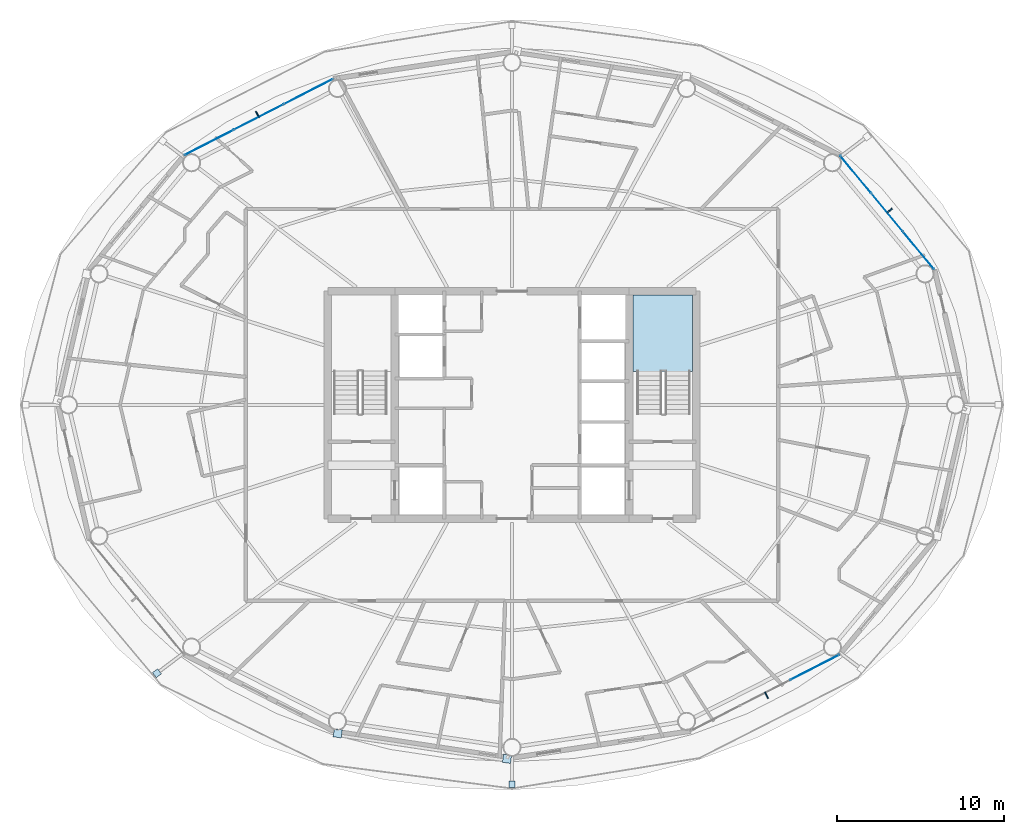
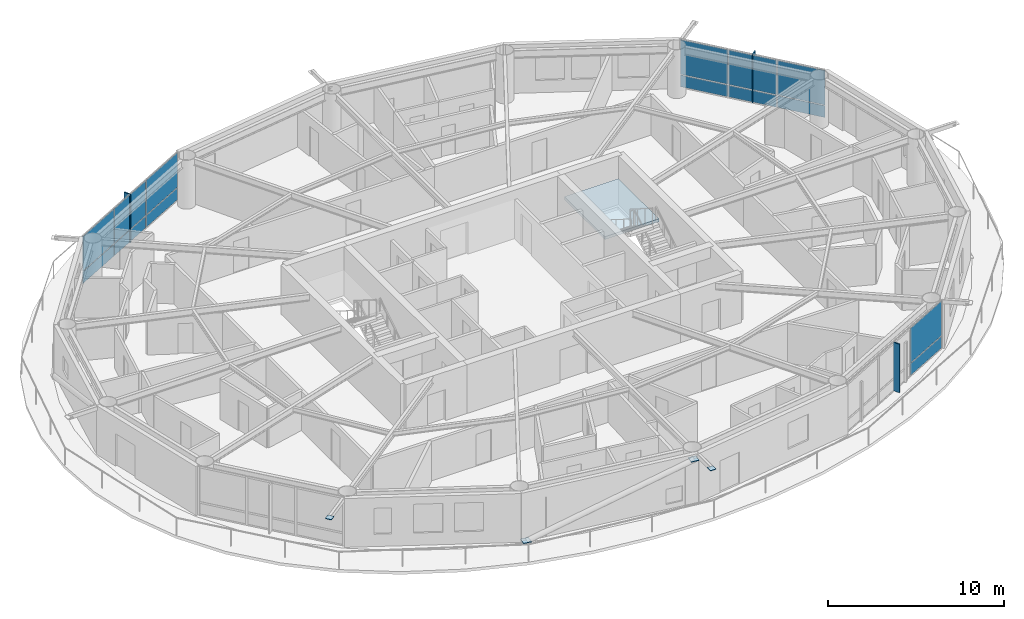
# One storey, part 19 of 28: 21 plates, 1 slab, 4 elements without a shape of their own.
"""IFC4 building model written with IfcOpenShell, lengths in metres."""

from ifc_helpers import new_model, si_unit, direction, frame, origin, origin_2d, place, context, subcontext, project, spatial, polyline, rectangle, outline, extrude, material, layer, layer_set, type_object, element, aggregate, save


model = new_model("IFC4")

# Units and contexts
model_context = context("Model", 3, precision=1e-05, world=origin(), true_north=direction((0.0, 1.0)))
body_context = subcontext(model_context, "Body", "Model", "MODEL_VIEW")
ifc_project = project(units=[si_unit("LENGTHUNIT", "METRE"), si_unit("AREAUNIT", "SQUARE_METRE"), si_unit("VOLUMEUNIT", "CUBIC_METRE"), si_unit("PLANEANGLEUNIT", "RADIAN"), si_unit("MASSUNIT", "GRAM", prefix="KILO")], contexts=[model_context])

# Site, building, storey
site_placement = place(None, origin())
site = spatial("IfcSite", under=ifc_project, at=site_placement, CompositionType="ELEMENT")
building_placement = place(site_placement, origin())
building = spatial("IfcBuilding", under=site, at=building_placement, Name="Sarneth Arch Tower", CompositionType="ELEMENT")
storey_placement = place(building_placement, frame((0.0, 0.0, 154.199951171875)))
storey = spatial("IfcBuildingStorey", under=building, at=storey_placement, Name="L38", CompositionType="ELEMENT", Elevation=154.199951171875)

# Curtain wall, plates
ifc_material_1 = material(Name="Anodised aluminium Type AA25 and solar-control low-e laminated IGU", Category="aluminium")
ifc_layer_1 = layer(ifc_material_1, 0.169921875)
ifc_layer_set_1 = layer_set([ifc_layer_1], Name="Anodised aluminium Type AA25 and solar-control low-e laminated IGU")
curtain_wall_type = type_object("IfcCurtainWallType", Name="CW-RES-MID", PredefinedType="NOTDEFINED", material=ifc_layer_set_1)
curtain_wall_1_placement = place(storey_placement, origin())
curtain_wall_1 = element("IfcCurtainWall", 1, at=curtain_wall_1_placement, inside=storey, type_object=curtain_wall_type, Name="L38 Unitised curtain wall facet 02", PredefinedType="NOTDEFINED")
ifc_material_2 = material(Name="Solar-control low-e laminated IGU", Category="glass")
ifc_layer_2 = layer(ifc_material_2, 0.028076171875)
ifc_layer_set_2 = layer_set([ifc_layer_2], Name="Solar-control low-e laminated IGU")
plate_type_1 = type_object("IfcPlateType", Name="CW-PANEL", PredefinedType="CURTAIN_PANEL", material=ifc_layer_set_2)
plate_1_placement = place(storey_placement, frame((72.280029296875, 51.21826171875, 0.06005859375), z_axis=(0.0, 0.0, 1.0), x_axis=(-0.637330298558, 0.770590741276, 0.0)))
plate_1 = element("IfcPlate", 2, at=plate_1_placement, type_object=plate_type_1, Name="Curtain wall glazed vision pane CW-L38-F02/P00-00", PredefinedType="CURTAIN_PANEL", context=body_context, shape_type="SweptSolid", body=[
    extrude(rectangle(XDim=2.8681640625, YDim=0.028076171875, at=origin_2d()), origin(), (0.0, 0.0, 1.0), 0.81005859375),
])
plate_2_placement = place(storey_placement, frame((72.280029296875, 51.21826171875, 0.93017578125), z_axis=(0.0, 0.0, 1.0), x_axis=(-0.637330298558, 0.770590741276, 0.0)))
plate_2 = element("IfcPlate", 3, at=plate_2_placement, type_object=plate_type_1, Name="Curtain wall glazed vision pane CW-L38-F02/P00-01", PredefinedType="CURTAIN_PANEL", context=body_context, shape_type="SweptSolid", body=[
    extrude(rectangle(XDim=2.8681640625, YDim=0.028076171875, at=origin_2d()), origin(), (0.0, 0.0, 1.0), 2.389892578125),
])
plate_3_placement = place(storey_placement, frame((70.404296875, 53.486328125, 0.06005859375), z_axis=(0.0, 0.0, 1.0), x_axis=(-0.637330298558, 0.770590741276, 0.0)))
plate_3 = element("IfcPlate", 4, at=plate_3_placement, type_object=plate_type_1, Name="Curtain wall glazed vision pane CW-L38-F02/P01-00", PredefinedType="CURTAIN_PANEL", context=body_context, shape_type="SweptSolid", body=[
    extrude(rectangle(XDim=2.898193359375, YDim=0.028076171875, at=origin_2d()), origin(), (0.0, 0.0, 1.0), 0.81005859375),
])
plate_4_placement = place(storey_placement, frame((70.404296875, 53.486328125, 0.93017578125), z_axis=(0.0, 0.0, 1.0), x_axis=(-0.637330298558, 0.770590741276, 0.0)))
plate_4 = element("IfcPlate", 5, at=plate_4_placement, type_object=plate_type_1, Name="Curtain wall glazed vision pane CW-L38-F02/P01-01", PredefinedType="CURTAIN_PANEL", context=body_context, shape_type="SweptSolid", body=[
    extrude(rectangle(XDim=2.898193359375, YDim=0.028076171875, at=origin_2d()), origin(), (0.0, 0.0, 1.0), 2.389892578125),
])
plate_5_placement = place(storey_placement, frame((68.5283203125, 55.75439453125, 0.06005859375), z_axis=(0.0, 0.0, 1.0), x_axis=(-0.637330298558, 0.770590741276, 0.0)))
plate_5 = element("IfcPlate", 6, at=plate_5_placement, type_object=plate_type_1, Name="Curtain wall glazed vision pane CW-L38-F02/P02-00", PredefinedType="CURTAIN_PANEL", context=body_context, shape_type="SweptSolid", body=[
    extrude(rectangle(XDim=2.8681640625, YDim=0.028076171875, at=origin_2d()), origin(), (0.0, 0.0, 1.0), 0.81005859375),
])
plate_6_placement = place(storey_placement, frame((68.5283203125, 55.75439453125, 0.93017578125), z_axis=(0.0, 0.0, 1.0), x_axis=(-0.637330298558, 0.770590741276, 0.0)))
plate_6 = element("IfcPlate", 7, at=plate_6_placement, type_object=plate_type_1, Name="Curtain wall glazed vision pane CW-L38-F02/P02-01", PredefinedType="CURTAIN_PANEL", context=body_context, shape_type="SweptSolid", body=[
    extrude(rectangle(XDim=2.8681640625, YDim=0.028076171875, at=origin_2d()), origin(), (0.0, 0.0, 1.0), 2.389892578125),
])
aggregate(curtain_wall_1, [plate_1, plate_2, plate_3, plate_4, plate_5, plate_6])

curtain_wall_2_placement = place(storey_placement, origin())
curtain_wall_2 = element("IfcCurtainWall", 8, at=curtain_wall_2_placement, inside=storey, type_object=curtain_wall_type, Name="L38 Unitised curtain wall facet 06", PredefinedType="NOTDEFINED")
plate_7_placement = place(storey_placement, frame((35.83837890625, 60.70703125, 0.06005859375), z_axis=(0.0, 0.0, 1.0), x_axis=(-0.88987293003, -0.456208470329, 0.0)))
plate_7 = element("IfcPlate", 9, at=plate_7_placement, type_object=plate_type_1, Name="Curtain wall glazed vision pane CW-L38-F06/P00-00", PredefinedType="CURTAIN_PANEL", context=body_context, shape_type="SweptSolid", body=[
    extrude(rectangle(XDim=3.248779296875, YDim=0.028076171875, at=origin_2d()), origin(), (0.0, 0.0, 1.0), 0.81005859375),
])
plate_8_placement = place(storey_placement, frame((35.83837890625, 60.70703125, 0.93017578125), z_axis=(0.0, 0.0, 1.0), x_axis=(-0.88987293003, -0.456208470329, 0.0)))
plate_8 = element("IfcPlate", 10, at=plate_8_placement, type_object=plate_type_1, Name="Curtain wall glazed vision pane CW-L38-F06/P00-01", PredefinedType="CURTAIN_PANEL", context=body_context, shape_type="SweptSolid", body=[
    extrude(rectangle(XDim=3.248779296875, YDim=0.028076171875, at=origin_2d()), origin(), (0.0, 0.0, 1.0), 2.389892578125),
])
plate_9_placement = place(storey_placement, frame((32.880615234375, 59.190673828125, 0.06005859375), z_axis=(0.0, 0.0, 1.0), x_axis=(-0.88987293003, -0.456208470329, 0.0)))
plate_9 = element("IfcPlate", 11, at=plate_9_placement, type_object=plate_type_1, Name="Curtain wall glazed vision pane CW-L38-F06/P01-00", PredefinedType="CURTAIN_PANEL", context=body_context, shape_type="SweptSolid", body=[
    extrude(rectangle(XDim=3.27880859375, YDim=0.028076171875, at=origin_2d()), origin(), (0.0, 0.0, 1.0), 0.81005859375),
])
plate_10_placement = place(storey_placement, frame((32.880615234375, 59.190673828125, 0.93017578125), z_axis=(0.0, 0.0, 1.0), x_axis=(-0.88987293003, -0.456208470329, 0.0)))
plate_10 = element("IfcPlate", 12, at=plate_10_placement, type_object=plate_type_1, Name="Curtain wall glazed vision pane CW-L38-F06/P01-01", PredefinedType="CURTAIN_PANEL", context=body_context, shape_type="SweptSolid", body=[
    extrude(rectangle(XDim=3.27880859375, YDim=0.028076171875, at=origin_2d()), origin(), (0.0, 0.0, 1.0), 2.389892578125),
])
plate_11_placement = place(storey_placement, frame((29.9228515625, 57.67431640625, 0.06005859375), z_axis=(0.0, 0.0, 1.0), x_axis=(-0.88987293003, -0.456208470329, 0.0)))
plate_11 = element("IfcPlate", 13, at=plate_11_placement, type_object=plate_type_1, Name="Curtain wall glazed vision pane CW-L38-F06/P02-00", PredefinedType="CURTAIN_PANEL", context=body_context, shape_type="SweptSolid", body=[
    extrude(rectangle(XDim=3.248779296875, YDim=0.028076171875, at=origin_2d()), origin(), (0.0, 0.0, 1.0), 0.81005859375),
])
plate_12_placement = place(storey_placement, frame((29.9228515625, 57.67431640625, 0.93017578125), z_axis=(0.0, 0.0, 1.0), x_axis=(-0.88987293003, -0.456208470329, 0.0)))
plate_12 = element("IfcPlate", 14, at=plate_12_placement, type_object=plate_type_1, Name="Curtain wall glazed vision pane CW-L38-F06/P02-01", PredefinedType="CURTAIN_PANEL", context=body_context, shape_type="SweptSolid", body=[
    extrude(rectangle(XDim=3.248779296875, YDim=0.028076171875, at=origin_2d()), origin(), (0.0, 0.0, 1.0), 2.389892578125),
])
aggregate(curtain_wall_2, [plate_7, plate_8, plate_9, plate_10, plate_11, plate_12])

curtain_wall_3_placement = place(storey_placement, origin())
curtain_wall_3 = element("IfcCurtainWall", 15, at=curtain_wall_3_placement, inside=storey, type_object=curtain_wall_type, Name="L38 Unitised curtain wall facet 14", PredefinedType="NOTDEFINED")
plate_13_placement = place(storey_placement, frame((66.0771484375, 26.32568359375, 0.06005859375), z_axis=(0.0, 0.0, 1.0), x_axis=(0.88987293003, 0.456208470329, 0.0)))
plate_13 = element("IfcPlate", 16, at=plate_13_placement, type_object=plate_type_1, Name="Curtain wall glazed vision pane CW-L38-F14/P02-00", PredefinedType="CURTAIN_PANEL", context=body_context, shape_type="SweptSolid", body=[
    extrude(rectangle(XDim=3.248779296875, YDim=0.028076171875, at=origin_2d()), origin(), (0.0, 0.0, 1.0), 0.81005859375),
])
plate_14_placement = place(storey_placement, frame((66.0771484375, 26.32568359375, 0.93017578125), z_axis=(0.0, 0.0, 1.0), x_axis=(0.88987293003, 0.456208470329, 0.0)))
plate_14 = element("IfcPlate", 17, at=plate_14_placement, type_object=plate_type_1, Name="Curtain wall glazed vision pane CW-L38-F14/P02-01", PredefinedType="CURTAIN_PANEL", context=body_context, shape_type="SweptSolid", body=[
    extrude(rectangle(XDim=3.248779296875, YDim=0.028076171875, at=origin_2d()), origin(), (0.0, 0.0, 1.0), 2.389892578125),
])
aggregate(curtain_wall_3, [plate_13, plate_14])

# Plates
ifc_material_3 = material(Name="Steel S355", Category="steel")
ifc_layer_3 = layer(ifc_material_3, 0.035888671875)
ifc_layer_set_3 = layer_set([ifc_layer_3], Name="Steel S355")
plate_type_2 = type_object("IfcPlateType", Name="PLT-GUSSET-30", PredefinedType="SHEET", material=ifc_layer_set_3)
plate_15_placement = place(storey_placement, frame((26.798583984375, 25.97705078125, 3.2021484375), z_axis=(0.0, 0.0, 1.0), x_axis=(-0.797794439539, -0.602929541689, 0.0)))
element("IfcPlate", 18, at=plate_15_placement, inside=storey, type_object=plate_type_2, Name="Steel end cap plate GP-1", PredefinedType="SHEET", context=body_context, shape_type="SweptSolid", body=[
    extrude(rectangle(XDim=0.3798828125, YDim=0.3798828125, at=origin_2d()), origin(), (0.0, 0.0, 1.0), 0.035888671875),
])
for number, where, z_axis, x_axis, name in (
    (19, (37.595703125, 22.387451171875, 0.001953125), (0.0, 0.0, 1.0), (0.98883454203, -0.149017611339, 0.0), "Steel end cap plate GP-1"),
    (20, (47.703369140625, 20.86474609375, 3.03271484375), (0.0, 0.0, 1.0), (0.98883454203, -0.149017611339, 0.0), "Steel end cap plate GP-1"),
):
    element("IfcPlate", number, at=place(storey_placement, frame(where, z_axis=z_axis, x_axis=x_axis)), inside=storey, type_object=plate_type_2, Name=name, PredefinedType="SHEET", context=body_context, shape_type="SweptSolid", body=[
        extrude(rectangle(XDim=0.486083984375, YDim=0.486083984375, at=origin_2d()), origin(), (0.0, 0.0, 1.0), 0.035888671875),
    ])
plate_16_placement = place(storey_placement, frame((48.0, 19.34423828125, 3.2021484375), z_axis=(0.0, 0.0, 1.0), x_axis=(0.0, -1.0, 0.0)))
element("IfcPlate", 21, at=plate_16_placement, inside=storey, type_object=plate_type_2, Name="Steel end cap plate GP-1", PredefinedType="SHEET", context=body_context, shape_type="SweptSolid", body=[
    extrude(rectangle(XDim=0.3798828125, YDim=0.3798828125, at=origin_2d()), origin(), (0.0, 0.0, 1.0), 0.035888671875),
])
ifc_material_4 = material(Name="Extruded glazed terracotta baguette fin on Aluminium 6063-T6 carrier", Category="masonry")
ifc_layer_4 = layer(ifc_material_4, 0.080078125)
ifc_layer_set_4 = layer_set([ifc_layer_4], Name="Extruded glazed terracotta baguette fin on Aluminium 6063-T6 carrier")
plate_type_3 = type_object("IfcPlateType", Name="SHADE-TERRA-FIN", PredefinedType="SHEET", material=ifc_layer_set_4)
for number, where, z_axis, x_axis, name in (
    (22, (70.53515625, 53.5947265625, 0.009765625), (0.0, 0.0, 1.0), (0.770624482513, 0.637289500111, 0.0), "L38 Terracotta vertical shading fin 02"),
    (23, (32.802978515625, 59.341796875, 0.009765625), (0.0, 0.0, 1.0), (-0.456166281949, 0.889894557357, 0.0), "L38 Terracotta vertical shading fin 06"),
    (24, (63.197021484375, 24.658203125, 0.009765625), (0.0, 0.0, 1.0), (0.456166281949, -0.889894557357, 0.0), "L38 Terracotta vertical shading fin 14"),
):
    element("IfcPlate", number, at=place(storey_placement, frame(where, z_axis=z_axis, x_axis=x_axis)), inside=storey, type_object=plate_type_3, Name=name, PredefinedType="SHEET", context=body_context, shape_type="SweptSolid", body=[
        extrude(rectangle(XDim=0.419921875, YDim=0.080078125, at=origin_2d()), origin(), (0.0, 0.0, 1.0), 3.360107421875),
    ])

# Stair, slab
ifc_material_5 = material(Name="Concrete C50/60", Category="concrete")
stair_type = type_object("IfcStairType", Name="STAIR-CORE-RC", PredefinedType="HALF_TURN_STAIR", material=ifc_material_5)
stair_placement = place(storey_placement, origin())
stair = element("IfcStair", 25, at=stair_placement, inside=storey, type_object=stair_type, Name="L38 Core Exit Stair 2", PredefinedType="HALF_TURN_STAIR")
ifc_material_6 = material(Name="Concrete C50/60", Category="concrete")
ifc_layer_5 = layer(ifc_material_6, 0.199951171875)
ifc_layer_set_5 = layer_set([ifc_layer_5], Name="Concrete C50/60")
slab_type = type_object("IfcSlabType", Name="SLAB-LANDING-200", PredefinedType="LANDING", material=ifc_layer_set_5)
slab_placement = place(storey_placement, frame((0.0, 0.0, 1.60009765625)))
slab = element("IfcSlab", 26, at=slab_placement, type_object=slab_type, Name="ST-2 landing 1", PredefinedType="LANDING", context=body_context, shape_type="SweptSolid", body=[
    extrude(outline(polyline([(55.22509765625, 43.985107421875), (58.77490234375, 43.985107421875), (58.77490234375, 48.574951171875), (55.22509765625, 48.574951171875), (55.22509765625, 43.985107421875)])), origin(), (0.0, 0.0, 1.0), 0.199951171875),
])
aggregate(stair, [slab])

save(model, "model.ifc")
